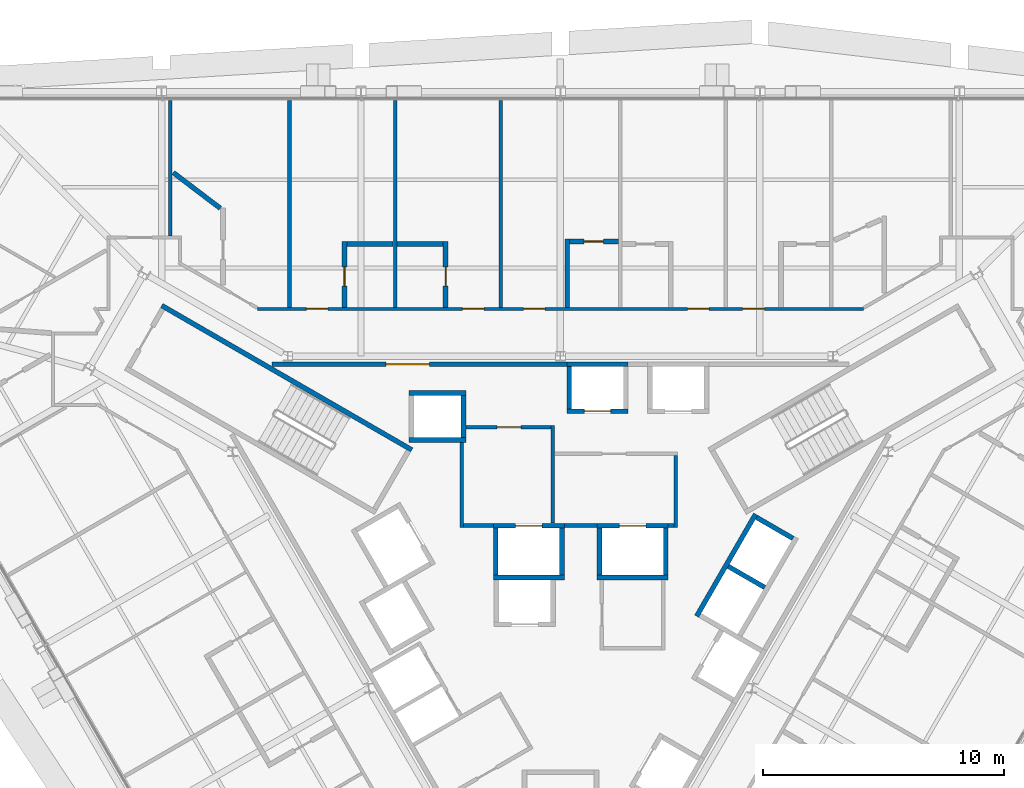
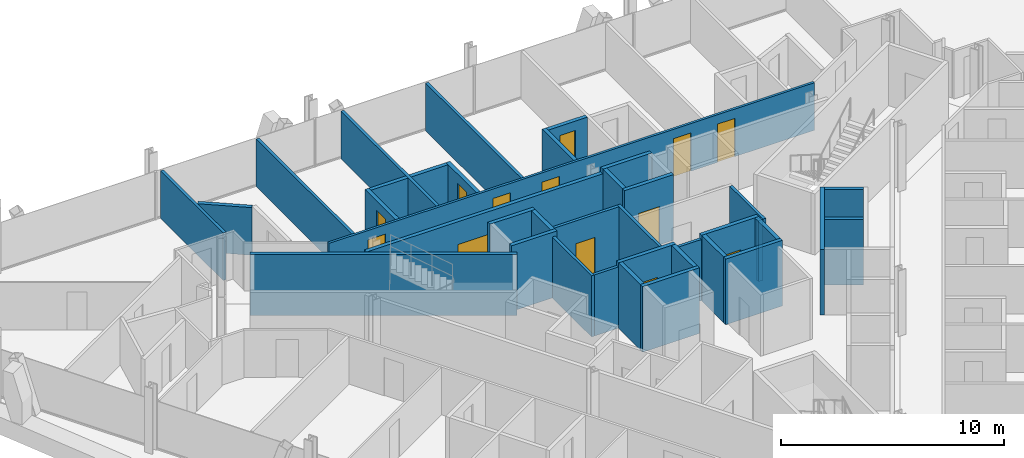
# One storey, part 13 of 17: 38 walls, 13 doors, 13 openings.
"""IFC4 building model written with IfcOpenShell, lengths in metres."""

from ifc_helpers import new_model, si_unit, direction, frame, frame_2d, origin, place, context, subcontext, project, spatial, rectangle, extrude, material, layer, layer_set, type_object, element, fill, save


model = new_model("IFC4")

# Units and contexts
model_context = context("Model", 3, precision=1e-05, world=origin(), true_north=direction((0.0, 1.0)))
body_context = subcontext(model_context, "Body", "Model", "MODEL_VIEW")
ifc_project = project(units=[si_unit("LENGTHUNIT", "METRE"), si_unit("AREAUNIT", "SQUARE_METRE"), si_unit("VOLUMEUNIT", "CUBIC_METRE"), si_unit("PLANEANGLEUNIT", "RADIAN"), si_unit("MASSUNIT", "GRAM", prefix="KILO")], contexts=[model_context])

# Site, building, storey
site_placement = place(None, origin())
site = spatial("IfcSite", under=ifc_project, at=site_placement, CompositionType="ELEMENT")
building_placement = place(site_placement, origin())
building = spatial("IfcBuilding", under=site, at=building_placement, Name="Verrane Prism Tower", CompositionType="ELEMENT")
storey_placement = place(building_placement, frame((0.0, 0.0, 136.0)))
storey = spatial("IfcBuildingStorey", under=building, at=storey_placement, Name="L33", CompositionType="ELEMENT", Elevation=136.0)

# Wall, opening, door
ifc_material_1 = material(Name="Gypsum board partition", Category="other")
ifc_layer_1 = layer(ifc_material_1, 0.199951171875)
ifc_layer_set_1 = layer_set([ifc_layer_1], Name="CW-200 core boundary wall 2 h")
wall_type_1 = type_object("IfcWallType", Name="CW-200 core boundary wall 2 h", PredefinedType="PARTITIONING", material=ifc_layer_set_1)
wall_1_placement = place(storey_placement, frame((0.262939453125, 8.860107421875, 0.0), z_axis=(0.0, 0.0, 1.0), x_axis=(-1.0, 0.0, 0.0)))
wall_1 = element("IfcWall", 1, at=wall_1_placement, inside=storey, type_object=wall_type_1, Name="Core boundary wall CW3-002", PredefinedType="PARTITIONING", context=body_context, shape_type="SweptSolid", body=[
    extrude(rectangle(XDim=12.25390625, YDim=0.199951171875, at=frame_2d((6.126953125, 0.0))), origin(), (0.0, 0.0, 1.0), 3.35009765625),
])
opening_1_placement = place(wall_1_placement, frame((5.708984375, 0.0, 0.0)))
opening_1 = element("IfcOpeningElement", 2, at=opening_1_placement, cuts=wall_1, Name="Opening D32511", PredefinedType="OPENING", context=body_context, shape_type="SweptSolid", body=[
    extrude(rectangle(XDim=1.800048828125, YDim=2.10009765625, at=frame_2d((0.89990234375, 1.050048828125))), frame((0.0, 0.10986328125, 0.0), z_axis=(0.0, -1.0, 0.0), x_axis=(1.0, 0.0, 0.0)), (0.0, 0.0, 1.0), 0.219970703125),
])
ifc_material_2 = material(Name="Timber veneered door leaf", Category="wood")
door_type_1 = type_object("IfcDoorType", Name="DR-1800x2100 FD60 double leaf lift lobby", OperationType="NOTDEFINED", PredefinedType="DOOR", material=ifc_material_2)
door_1_placement = place(opening_1_placement, origin())
door_1 = element("IfcDoor", 3, at=door_1_placement, inside=storey, type_object=door_type_1, Name="Lift lobby door D32511", OperationType="DOUBLE_DOOR_SINGLE_SWING", OverallHeight=2.10009765625, OverallWidth=1.800048828125, PredefinedType="DOOR", context=body_context, shape_type="SweptSolid", body=[
    extrude(rectangle(XDim=1.800048828125, YDim=2.10009765625, at=frame_2d((0.89990234375, 1.050048828125))), frame((0.0, 0.02490234375, 0.0), z_axis=(0.0, -1.0, 0.0), x_axis=(1.0, 0.0, 0.0)), (0.0, 0.0, 1.0), 0.050048828125),
])
fill(opening_1, door_1)

# Walls
ifc_material_3 = material(Name="Concrete C40/50", Category="concrete")
ifc_layer_2 = layer(ifc_material_3, 0.199951171875)
ifc_layer_set_2 = layer_set([ifc_layer_2], Name="CW-200 stair core wall concrete C40/50 3 h")
wall_type_2 = type_object("IfcWallType", Name="CW-200 stair core wall concrete C40/50 3 h", PredefinedType="PARTITIONING", material=ifc_layer_set_2)
wall_2_placement = place(storey_placement, frame((-6.17822265625, 5.299072265625, 0.0), z_axis=(0.0, 0.0, 1.0), x_axis=(-0.866026010844, 0.49999894854, 0.0)))
element("IfcWall", 4, at=wall_2_placement, inside=storey, type_object=wall_type_2, Name="Stair 2 enclosure wall", PredefinedType="PARTITIONING", context=body_context, shape_type="SweptSolid", body=[
    extrude(rectangle(XDim=12.0, YDim=0.199951171875, at=frame_2d((6.0, 0.0))), origin(), (0.0, 0.0, 1.0), 3.35009765625),
])
ifc_material_4 = material(Name="Gypsum board shaft wall assembly", Category="other")
ifc_layer_3 = layer(ifc_material_4, 0.199951171875)
ifc_layer_set_3 = layer_set([ifc_layer_3], Name="HW-200 lift shaft wall 2 h")
wall_type_3 = type_object("IfcWallType", Name="HW-200 lift shaft wall 2 h", PredefinedType="PARTITIONING", material=ifc_layer_set_3)
wall_3_placement = place(storey_placement, frame((-2.784912109375, 0.0, 0.0), z_axis=(0.0, 0.0, 1.0), x_axis=(1.0, 0.0, 0.0)))
element("IfcWall", 5, at=wall_3_placement, inside=storey, type_object=wall_type_3, Name="Lift shaft wall", PredefinedType="PARTITIONING", context=body_context, shape_type="SweptSolid", body=[
    extrude(rectangle(XDim=2.949951171875, YDim=0.199951171875, at=frame_2d((1.47509765625, 0.0))), origin(), (0.0, 0.0, 1.0), 3.60009765625),
])
wall_4_placement = place(storey_placement, frame((1.52490234375, 0.0, 0.0), z_axis=(0.0, 0.0, 1.0), x_axis=(1.0, 0.0, 0.0)))
element("IfcWall", 6, at=wall_4_placement, inside=storey, type_object=wall_type_3, Name="Lift shaft wall", PredefinedType="PARTITIONING", context=body_context, shape_type="SweptSolid", body=[
    extrude(rectangle(XDim=2.9501953125, YDim=0.199951171875, at=frame_2d((1.47509765625, 0.0))), origin(), (0.0, 0.0, 1.0), 3.60009765625),
])

# Wall, opening, door
wall_5_placement = place(storey_placement, frame((-2.784912109375, 2.14990234375, 0.0), z_axis=(0.0, 0.0, 1.0), x_axis=(1.0, 0.0, 0.0)))
wall_5 = element("IfcWall", 7, at=wall_5_placement, inside=storey, type_object=wall_type_3, Name="Lift shaft wall", PredefinedType="PARTITIONING", context=body_context, shape_type="SweptSolid", body=[
    extrude(rectangle(XDim=2.949951171875, YDim=0.199951171875, at=frame_2d((1.47509765625, 0.0))), origin(), (0.0, 0.0, 1.0), 3.60009765625),
])
opening_2_placement = place(wall_5_placement, frame((0.925048828125, 0.0, 0.0)))
opening_2 = element("IfcOpeningElement", 8, at=opening_2_placement, cuts=wall_5, Name="Opening D32508", PredefinedType="OPENING", context=body_context, shape_type="SweptSolid", body=[
    extrude(rectangle(XDim=1.10009765625, YDim=2.10009765625, at=frame_2d((0.550048828125, 1.050048828125))), frame((0.0, 0.10986328125, 0.0), z_axis=(0.0, -1.0, 0.0), x_axis=(1.0, 0.0, 0.0)), (0.0, 0.0, 1.0), 0.219970703125),
])
ifc_material_5 = material(Name="Stainless steel sliding landing door", Category="steel")
door_type_2 = type_object("IfcDoorType", Name="LD-1100x2100 lift landing door FD90 sliding", OperationType="NOTDEFINED", PredefinedType="DOOR", material=ifc_material_5)
door_2_placement = place(opening_2_placement, origin())
door_2 = element("IfcDoor", 9, at=door_2_placement, inside=storey, type_object=door_type_2, Name="Fire service lift 1 landing door", OperationType="SLIDING_TO_LEFT", OverallHeight=2.10009765625, OverallWidth=1.10009765625, PredefinedType="DOOR", context=body_context, shape_type="SweptSolid", body=[
    extrude(rectangle(XDim=1.10009765625, YDim=2.10009765625, at=frame_2d((0.550048828125, 1.050048828125))), frame((0.0, 0.02490234375, 0.0), z_axis=(0.0, -1.0, 0.0), x_axis=(1.0, 0.0, 0.0)), (0.0, 0.0, 1.0), 0.050048828125),
])
fill(opening_2, door_2)

wall_6_placement = place(storey_placement, frame((1.52490234375, 2.14990234375, 0.0), z_axis=(0.0, 0.0, 1.0), x_axis=(1.0, 0.0, 0.0)))
wall_6 = element("IfcWall", 10, at=wall_6_placement, inside=storey, type_object=wall_type_3, Name="Lift shaft wall", PredefinedType="PARTITIONING", context=body_context, shape_type="SweptSolid", body=[
    extrude(rectangle(XDim=2.9501953125, YDim=0.199951171875, at=frame_2d((1.47509765625, 0.0))), origin(), (0.0, 0.0, 1.0), 3.60009765625),
])
opening_3_placement = place(wall_6_placement, frame((0.925048828125, 0.0, 0.0)))
opening_3 = element("IfcOpeningElement", 11, at=opening_3_placement, cuts=wall_6, Name="Opening D32509", PredefinedType="OPENING", context=body_context, shape_type="SweptSolid", body=[
    extrude(rectangle(XDim=1.10009765625, YDim=2.10009765625, at=frame_2d((0.550048828125, 1.050048828125))), frame((0.0, 0.10986328125, 0.0), z_axis=(0.0, -1.0, 0.0), x_axis=(1.0, 0.0, 0.0)), (0.0, 0.0, 1.0), 0.219970703125),
])
door_3_placement = place(opening_3_placement, origin())
door_3 = element("IfcDoor", 12, at=door_3_placement, inside=storey, type_object=door_type_2, Name="Fire service lift 2 landing door", OperationType="SLIDING_TO_RIGHT", OverallHeight=2.10009765625, OverallWidth=1.10009765625, PredefinedType="DOOR", context=body_context, shape_type="SweptSolid", body=[
    extrude(rectangle(XDim=1.10009765625, YDim=2.10009765625, at=frame_2d((0.550048828125, 1.050048828125))), frame((0.0, 0.02490234375, 0.0), z_axis=(0.0, -1.0, 0.0), x_axis=(1.0, 0.0, 0.0)), (0.0, 0.0, 1.0), 0.050048828125),
])
fill(opening_3, door_3)

# Wall
wall_7_placement = place(storey_placement, frame((-6.284912109375, 5.7099609375, 0.0), z_axis=(0.0, 0.0, 1.0), x_axis=(1.0, 0.0, 0.0)))
element("IfcWall", 13, at=wall_7_placement, inside=storey, type_object=wall_type_3, Name="Lift shaft wall", PredefinedType="PARTITIONING", context=body_context, shape_type="SweptSolid", body=[
    extrude(rectangle(XDim=2.349853515625, YDim=0.199951171875, at=frame_2d((1.1748046875, 0.0))), origin(), (0.0, 0.0, 1.0), 3.60009765625),
])

# Wall, opening, door
wall_8_placement = place(storey_placement, frame((0.264892578125, 6.909912109375, 0.0), z_axis=(0.0, 0.0, 1.0), x_axis=(1.0, 0.0, 0.0)))
wall_8 = element("IfcWall", 14, at=wall_8_placement, inside=storey, type_object=wall_type_3, Name="Lift shaft wall", PredefinedType="PARTITIONING", context=body_context, shape_type="SweptSolid", body=[
    extrude(rectangle(XDim=2.550048828125, YDim=0.199951171875, at=frame_2d((1.27490234375, 0.0))), origin(), (0.0, 0.0, 1.0), 3.60009765625),
])
opening_4_placement = place(wall_8_placement, frame((0.72509765625, 0.0, 0.0)))
opening_4 = element("IfcOpeningElement", 15, at=opening_4_placement, cuts=wall_8, Name="Opening D32503", PredefinedType="OPENING", context=body_context, shape_type="SweptSolid", body=[
    extrude(rectangle(XDim=1.10009765625, YDim=2.10009765625, at=frame_2d((0.550048828125, 1.050048828125))), frame((0.0, 0.10986328125, 0.0), z_axis=(0.0, -1.0, 0.0), x_axis=(1.0, 0.0, 0.0)), (0.0, 0.0, 1.0), 0.219970703125),
])
door_4_placement = place(opening_4_placement, origin())
door_4 = element("IfcDoor", 16, at=door_4_placement, inside=storey, type_object=door_type_2, Name="Bank A lift 1 landing door", OperationType="SLIDING_TO_LEFT", OverallHeight=2.10009765625, OverallWidth=1.10009765625, PredefinedType="DOOR", context=body_context, shape_type="SweptSolid", body=[
    extrude(rectangle(XDim=1.10009765625, YDim=2.10009765625, at=frame_2d((0.550048828125, 1.050048828125))), frame((0.0, 0.02490234375, 0.0), z_axis=(0.0, -1.0, 0.0), x_axis=(1.0, 0.0, 0.0)), (0.0, 0.0, 1.0), 0.050048828125),
])
fill(opening_4, door_4)

# Walls
wall_9_placement = place(storey_placement, frame((-6.284912109375, 7.659912109375, 0.0), z_axis=(0.0, 0.0, 1.0), x_axis=(1.0, 0.0, 0.0)))
element("IfcWall", 17, at=wall_9_placement, inside=storey, type_object=wall_type_3, Name="Lift shaft wall", PredefinedType="PARTITIONING", context=body_context, shape_type="SweptSolid", body=[
    extrude(rectangle(XDim=2.349853515625, YDim=0.199951171875, at=frame_2d((1.1748046875, 0.0))), origin(), (0.0, 0.0, 1.0), 3.60009765625),
])
wall_10_placement = place(storey_placement, frame((0.264892578125, 8.860107421875, 0.0), z_axis=(0.0, 0.0, 1.0), x_axis=(1.0, 0.0, 0.0)))
element("IfcWall", 18, at=wall_10_placement, inside=storey, type_object=wall_type_3, Name="Lift shaft wall", PredefinedType="PARTITIONING", context=body_context, shape_type="SweptSolid", body=[
    extrude(rectangle(XDim=2.550048828125, YDim=0.199951171875, at=frame_2d((1.27490234375, 0.0))), origin(), (0.0, 0.0, 1.0), 3.60009765625),
])
wall_11_placement = place(storey_placement, frame((5.66259765625, -1.6123046875, 0.0), z_axis=(0.0, 0.0, 1.0), x_axis=(0.49998122708, 0.866036242063, 0.0)))
element("IfcWall", 19, at=wall_11_placement, inside=storey, type_object=wall_type_3, Name="Lift shaft wall", PredefinedType="PARTITIONING", context=body_context, shape_type="SweptSolid", body=[
    extrude(rectangle(XDim=4.900146484375, YDim=0.199951171875, at=frame_2d((2.4501953125, 0.0))), origin(), (0.0, 0.0, 1.0), 3.60009765625),
])
for number, where, z_axis, x_axis, name in (
    (20, (4.375, 0.10009765625, 0.0), (0.0, 0.0, 1.0), (0.0, 1.0, 0.0), "Lift shaft wall"),
    (21, (1.625, 0.10009765625, 0.0), (0.0, 0.0, 1.0), (0.0, 1.0, 0.0), "Lift shaft wall"),
):
    element("IfcWall", number, at=place(storey_placement, frame(where, z_axis=z_axis, x_axis=x_axis)), inside=storey, type_object=wall_type_3, Name=name, PredefinedType="PARTITIONING", context=body_context, shape_type="SweptSolid", body=[
        extrude(rectangle(XDim=1.949951171875, YDim=0.199951171875, at=frame_2d((0.97509765625, 0.0))), origin(), (0.0, 0.0, 1.0), 3.60009765625),
    ])
wall_12_placement = place(storey_placement, frame((0.364990234375, 7.010009765625, 0.0), z_axis=(0.0, 0.0, 1.0), x_axis=(0.0, 1.0, 0.0)))
element("IfcWall", 22, at=wall_12_placement, inside=storey, type_object=wall_type_3, Name="Lift shaft wall", PredefinedType="PARTITIONING", context=body_context, shape_type="SweptSolid", body=[
    extrude(rectangle(XDim=1.75, YDim=0.199951171875, at=frame_2d((0.875, 0.0))), origin(), (0.0, 0.0, 1.0), 3.60009765625),
])
for number, where, z_axis, x_axis, name in (
    (23, (0.06494140625, 0.10009765625, 0.0), (0.0, 0.0, 1.0), (0.0, 1.0, 0.0), "Lift shaft wall"),
    (24, (-2.68505859375, 0.10009765625, 0.0), (0.0, 0.0, 1.0), (0.0, 1.0, 0.0), "Lift shaft wall"),
):
    element("IfcWall", number, at=place(storey_placement, frame(where, z_axis=z_axis, x_axis=x_axis)), inside=storey, type_object=wall_type_3, Name=name, PredefinedType="PARTITIONING", context=body_context, shape_type="SweptSolid", body=[
        extrude(rectangle(XDim=1.949951171875, YDim=0.199951171875, at=frame_2d((0.97509765625, 0.0))), origin(), (0.0, 0.0, 1.0), 3.60009765625),
    ])
wall_13_placement = place(storey_placement, frame((-4.034912109375, 5.81005859375, 0.0), z_axis=(0.0, 0.0, 1.0), x_axis=(0.0, 1.0, 0.0)))
element("IfcWall", 25, at=wall_13_placement, inside=storey, type_object=wall_type_3, Name="Lift shaft wall", PredefinedType="PARTITIONING", context=body_context, shape_type="SweptSolid", body=[
    extrude(rectangle(XDim=1.75, YDim=0.199951171875, at=frame_2d((0.875, 0.0))), origin(), (0.0, 0.0, 1.0), 3.60009765625),
])
wall_14_placement = place(storey_placement, frame((9.66455078125, 1.61962890625, 0.0), z_axis=(0.0, 0.0, 1.0), x_axis=(-0.866002029911, 0.500040482552, 0.0)))
element("IfcWall", 26, at=wall_14_placement, inside=storey, type_object=wall_type_3, Name="Lift shaft wall", PredefinedType="PARTITIONING", context=body_context, shape_type="SweptSolid", body=[
    extrude(rectangle(XDim=1.749755859375, YDim=0.199951171875, at=frame_2d((0.875, 0.0))), origin(), (0.0, 0.0, 1.0), 3.60009765625),
])
wall_15_placement = place(storey_placement, frame((8.48974609375, -0.41552734375, 0.0), z_axis=(0.0, 0.0, 1.0), x_axis=(-0.866036909293, 0.499980071345, 0.0)))
element("IfcWall", 27, at=wall_15_placement, inside=storey, type_object=wall_type_3, Name="Lift shaft wall", PredefinedType="PARTITIONING", context=body_context, shape_type="SweptSolid", body=[
    extrude(rectangle(XDim=1.75, YDim=0.199951171875, at=frame_2d((0.875, 0.0))), origin(), (0.0, 0.0, 1.0), 3.60009765625),
])
ifc_material_6 = material(Name="Gypsum board partition", Category="other")
ifc_layer_4 = layer(ifc_material_6, 0.14990234375)
ifc_layer_set_4 = layer_set([ifc_layer_4], Name="LF-150 firefighting lobby wall 1 h")
wall_type_4 = type_object("IfcWallType", Name="LF-150 firefighting lobby wall 1 h", PredefinedType="PARTITIONING", material=ifc_layer_set_4)
wall_16_placement = place(storey_placement, frame((-4.10009765625, 2.0849609375, 0.0), z_axis=(0.0, 0.0, 1.0), x_axis=(0.0, 1.0, 0.0)))
element("IfcWall", 28, at=wall_16_placement, inside=storey, type_object=wall_type_4, Name="Firefighting lobby wall LF1-001", PredefinedType="PARTITIONING", context=body_context, shape_type="SweptSolid", body=[
    extrude(rectangle(XDim=3.52294921875, YDim=0.14990234375, at=frame_2d((1.761474609375, 0.0))), origin(), (0.0, 0.0, 1.0), 3.35009765625),
])
wall_17_placement = place(storey_placement, frame((-4.02490234375, 2.159912109375, 0.0), z_axis=(0.0, 0.0, 1.0), x_axis=(1.0, 0.0, 0.0)))
element("IfcWall", 29, at=wall_17_placement, inside=storey, type_object=wall_type_4, Name="Firefighting lobby wall LF1-002", PredefinedType="PARTITIONING", context=body_context, shape_type="SweptSolid", body=[
    extrude(rectangle(XDim=1.23779296875, YDim=0.14990234375, at=frame_2d((0.618896484375, 0.0))), origin(), (0.0, 0.0, 1.0), 3.35009765625),
])

# Wall, opening, door
wall_18_placement = place(storey_placement, frame((-3.93310546875, 6.239990234375, 0.0), z_axis=(0.0, 0.0, 1.0), x_axis=(1.0, 0.0, 0.0)))
wall_18 = element("IfcWall", 30, at=wall_18_placement, inside=storey, type_object=wall_type_4, Name="Firefighting lobby wall LF1-003", PredefinedType="PARTITIONING", context=body_context, shape_type="SweptSolid", body=[
    extrude(rectangle(XDim=3.5380859375, YDim=0.14990234375, at=frame_2d((1.76904296875, 0.0))), origin(), (0.0, 0.0, 1.0), 3.35009765625),
])
opening_5_placement = place(wall_18_placement, frame((1.300048828125, 0.0, 0.0)))
opening_5 = element("IfcOpeningElement", 31, at=opening_5_placement, cuts=wall_18, Name="Opening D32515", PredefinedType="OPENING", context=body_context, shape_type="SweptSolid", body=[
    extrude(rectangle(XDim=1.0, YDim=2.10009765625, at=frame_2d((0.5, 1.050048828125))), frame((0.0, 0.0849609375, 0.0), z_axis=(0.0, -1.0, 0.0), x_axis=(1.0, 0.0, 0.0)), (0.0, 0.0, 1.0), 0.169921875),
])
ifc_material_7 = material(Name="Timber veneered door leaf", Category="wood")
door_type_3 = type_object("IfcDoorType", Name="DR-1000x2100 FD60 single leaf firefighting lobby", OperationType="NOTDEFINED", PredefinedType="DOOR", material=ifc_material_7)
door_5_placement = place(opening_5_placement, origin())
door_5 = element("IfcDoor", 32, at=door_5_placement, inside=storey, type_object=door_type_3, Name="Firefighting lobby door D32515", OperationType="SINGLE_SWING_LEFT", OverallHeight=2.10009765625, OverallWidth=1.0, PredefinedType="DOOR", context=body_context, shape_type="SweptSolid", body=[
    extrude(rectangle(XDim=1.0, YDim=2.10009765625, at=frame_2d((0.5, 1.050048828125))), frame((0.0, 0.02490234375, 0.0), z_axis=(0.0, -1.0, 0.0), x_axis=(1.0, 0.0, 0.0)), (0.0, 0.0, 1.0), 0.050048828125),
])
fill(opening_5, door_5)

# Walls
wall_19_placement = place(storey_placement, frame((-0.320068359375, 2.251953125, 0.0), z_axis=(0.0, 0.0, 1.0), x_axis=(0.0, 1.0, 0.0)))
element("IfcWall", 33, at=wall_19_placement, inside=storey, type_object=wall_type_4, Name="Firefighting lobby wall LF1-004", PredefinedType="PARTITIONING", context=body_context, shape_type="SweptSolid", body=[
    extrude(rectangle(XDim=4.06298828125, YDim=0.14990234375, at=frame_2d((2.031494140625, 0.0))), origin(), (0.0, 0.0, 1.0), 3.35009765625),
])
wall_20_placement = place(storey_placement, frame((0.1669921875, 2.159912109375, 0.0), z_axis=(0.0, 0.0, 1.0), x_axis=(1.0, 0.0, 0.0)))
element("IfcWall", 34, at=wall_20_placement, inside=storey, type_object=wall_type_4, Name="Firefighting lobby wall LF1-006", PredefinedType="PARTITIONING", context=body_context, shape_type="SweptSolid", body=[
    extrude(rectangle(XDim=1.35595703125, YDim=0.14990234375, at=frame_2d((0.677978515625, 0.0))), origin(), (0.0, 0.0, 1.0), 3.35009765625),
])
wall_21_placement = place(storey_placement, frame((4.47705078125, 2.159912109375, 0.0), z_axis=(0.0, 0.0, 1.0), x_axis=(1.0, 0.0, 0.0)))
element("IfcWall", 35, at=wall_21_placement, inside=storey, type_object=wall_type_4, Name="Firefighting lobby wall LF1-007", PredefinedType="PARTITIONING", context=body_context, shape_type="SweptSolid", body=[
    extrude(rectangle(XDim=0.238037109375, YDim=0.14990234375, at=frame_2d((0.119140625, 0.0))), origin(), (0.0, 0.0, 1.0), 3.35009765625),
])
wall_22_placement = place(storey_placement, frame((4.7900390625, 2.0849609375, 0.0), z_axis=(0.0, 0.0, 1.0), x_axis=(0.0, 1.0, 0.0)))
element("IfcWall", 36, at=wall_22_placement, inside=storey, type_object=wall_type_4, Name="Firefighting lobby wall LF1-008", PredefinedType="PARTITIONING", context=body_context, shape_type="SweptSolid", body=[
    extrude(rectangle(XDim=2.97998046875, YDim=0.14990234375, at=frame_2d((1.489990234375, 0.0))), origin(), (0.0, 0.0, 1.0), 3.35009765625),
])

# Wall, openings, doors
ifc_material_8 = material(Name="Gypsum board partition", Category="other")
ifc_layer_5 = layer(ifc_material_8, 0.125)
ifc_layer_set_5 = layer_set([ifc_layer_5], Name="PW-125 corridor wall 1 h")
wall_type_5 = type_object("IfcWallType", Name="PW-125 corridor wall 1 h", PredefinedType="PARTITIONING", material=ifc_layer_set_5)
wall_23_placement = place(storey_placement, frame((-12.593505859375, 11.160888671875, 0.0), z_axis=(0.0, 0.0, 1.0), x_axis=(1.0, 0.0, 0.0)))
wall_23 = element("IfcWall", 37, at=wall_23_placement, inside=storey, type_object=wall_type_5, Name="Corridor wall 030", PredefinedType="PARTITIONING", context=body_context, shape_type="SweptSolid", body=[
    extrude(rectangle(XDim=25.18701171875, YDim=0.125, at=frame_2d((12.593505859375, 0.0))), origin(), (0.0, 0.0, 1.0), 2.613037109375),
])
opening_6_placement = place(wall_23_placement, frame((20.16552734375, 0.0, 0.0)))
opening_6 = element("IfcOpeningElement", 38, at=opening_6_placement, cuts=wall_23, Name="Opening D32019", PredefinedType="OPENING", context=body_context, shape_type="SweptSolid", body=[
    extrude(rectangle(XDim=0.89990234375, YDim=2.10009765625, at=frame_2d((0.449951171875, 1.050048828125))), frame((0.0, 0.072509765625, 0.0), z_axis=(0.0, -1.0, 0.0), x_axis=(1.0, 0.0, 0.0)), (0.0, 0.0, 1.0), 0.14501953125),
])
opening_7_placement = place(wall_23_placement, frame((17.87548828125, 0.0, 0.0)))
opening_7 = element("IfcOpeningElement", 39, at=opening_7_placement, cuts=wall_23, Name="Opening D32021", PredefinedType="OPENING", context=body_context, shape_type="SweptSolid", body=[
    extrude(rectangle(XDim=0.89990234375, YDim=2.10009765625, at=frame_2d((0.449951171875, 1.050048828125))), frame((0.0, 0.072509765625, 0.0), z_axis=(0.0, -1.0, 0.0), x_axis=(1.0, 0.0, 0.0)), (0.0, 0.0, 1.0), 0.14501953125),
])
opening_8_placement = place(wall_23_placement, frame((11.0615234375, 0.0, 0.0)))
opening_8 = element("IfcOpeningElement", 40, at=opening_8_placement, cuts=wall_23, Name="Opening D32023", PredefinedType="OPENING", context=body_context, shape_type="SweptSolid", body=[
    extrude(rectangle(XDim=0.89990234375, YDim=2.10009765625, at=frame_2d((0.449951171875, 1.050048828125))), frame((0.0, 0.072509765625, 0.0), z_axis=(0.0, -1.0, 0.0), x_axis=(1.0, 0.0, 0.0)), (0.0, 0.0, 1.0), 0.14501953125),
])
opening_9_placement = place(wall_23_placement, frame((8.521484375, 0.0, 0.0)))
opening_9 = element("IfcOpeningElement", 41, at=opening_9_placement, cuts=wall_23, Name="Opening D32025", PredefinedType="OPENING", context=body_context, shape_type="SweptSolid", body=[
    extrude(rectangle(XDim=0.89990234375, YDim=2.10009765625, at=frame_2d((0.449951171875, 1.050048828125))), frame((0.0, 0.072509765625, 0.0), z_axis=(0.0, -1.0, 0.0), x_axis=(1.0, 0.0, 0.0)), (0.0, 0.0, 1.0), 0.14501953125),
])
opening_10_placement = place(wall_23_placement, frame((2.031494140625, 0.0, 0.0)))
opening_10 = element("IfcOpeningElement", 42, at=opening_10_placement, cuts=wall_23, Name="Opening D32027", PredefinedType="OPENING", context=body_context, shape_type="SweptSolid", body=[
    extrude(rectangle(XDim=0.89990234375, YDim=2.10009765625, at=frame_2d((0.449951171875, 1.050048828125))), frame((0.0, 0.072509765625, 0.0), z_axis=(0.0, -1.0, 0.0), x_axis=(1.0, 0.0, 0.0)), (0.0, 0.0, 1.0), 0.14501953125),
])
ifc_material_9 = material(Name="Timber veneered door leaf", Category="wood")
door_type_4 = type_object("IfcDoorType", Name="DR-900x2100 FD20 single leaf unit", OperationType="NOTDEFINED", PredefinedType="DOOR", material=ifc_material_9)
door_6_placement = place(opening_6_placement, origin())
door_6 = element("IfcDoor", 43, at=door_6_placement, inside=storey, type_object=door_type_4, Name="Guest Room door", OperationType="SINGLE_SWING_LEFT", OverallHeight=2.10009765625, OverallWidth=0.89990234375, PredefinedType="DOOR", context=body_context, shape_type="SweptSolid", body=[
    extrude(rectangle(XDim=0.89990234375, YDim=2.10009765625, at=frame_2d((0.449951171875, 1.050048828125))), frame((0.0, 0.02490234375, 0.0), z_axis=(0.0, -1.0, 0.0), x_axis=(1.0, 0.0, 0.0)), (0.0, 0.0, 1.0), 0.050048828125),
])
fill(opening_6, door_6)
door_7_placement = place(opening_7_placement, origin())
door_7 = element("IfcDoor", 44, at=door_7_placement, inside=storey, type_object=door_type_4, Name="Guest Room door", OperationType="SINGLE_SWING_LEFT", OverallHeight=2.10009765625, OverallWidth=0.89990234375, PredefinedType="DOOR", context=body_context, shape_type="SweptSolid", body=[
    extrude(rectangle(XDim=0.89990234375, YDim=2.10009765625, at=frame_2d((0.449951171875, 1.050048828125))), frame((0.0, 0.02490234375, 0.0), z_axis=(0.0, -1.0, 0.0), x_axis=(1.0, 0.0, 0.0)), (0.0, 0.0, 1.0), 0.050048828125),
])
fill(opening_7, door_7)
door_8_placement = place(opening_8_placement, origin())
door_8 = element("IfcDoor", 45, at=door_8_placement, inside=storey, type_object=door_type_4, Name="Guest Room door", OperationType="SINGLE_SWING_LEFT", OverallHeight=2.10009765625, OverallWidth=0.89990234375, PredefinedType="DOOR", context=body_context, shape_type="SweptSolid", body=[
    extrude(rectangle(XDim=0.89990234375, YDim=2.10009765625, at=frame_2d((0.449951171875, 1.050048828125))), frame((0.0, 0.02490234375, 0.0), z_axis=(0.0, -1.0, 0.0), x_axis=(1.0, 0.0, 0.0)), (0.0, 0.0, 1.0), 0.050048828125),
])
fill(opening_8, door_8)
door_9_placement = place(opening_9_placement, origin())
door_9 = element("IfcDoor", 46, at=door_9_placement, inside=storey, type_object=door_type_4, Name="Guest Room door", OperationType="SINGLE_SWING_LEFT", OverallHeight=2.10009765625, OverallWidth=0.89990234375, PredefinedType="DOOR", context=body_context, shape_type="SweptSolid", body=[
    extrude(rectangle(XDim=0.89990234375, YDim=2.10009765625, at=frame_2d((0.449951171875, 1.050048828125))), frame((0.0, 0.02490234375, 0.0), z_axis=(0.0, -1.0, 0.0), x_axis=(1.0, 0.0, 0.0)), (0.0, 0.0, 1.0), 0.050048828125),
])
fill(opening_9, door_9)
door_10_placement = place(opening_10_placement, origin())
door_10 = element("IfcDoor", 47, at=door_10_placement, inside=storey, type_object=door_type_4, Name="Guest Room door", OperationType="SINGLE_SWING_LEFT", OverallHeight=2.10009765625, OverallWidth=0.89990234375, PredefinedType="DOOR", context=body_context, shape_type="SweptSolid", body=[
    extrude(rectangle(XDim=0.89990234375, YDim=2.10009765625, at=frame_2d((0.449951171875, 1.050048828125))), frame((0.0, 0.02490234375, 0.0), z_axis=(0.0, -1.0, 0.0), x_axis=(1.0, 0.0, 0.0)), (0.0, 0.0, 1.0), 0.050048828125),
])
fill(opening_10, door_10)

# Walls
ifc_material_10 = material(Name="Gypsum board partition", Category="other")
ifc_layer_6 = layer(ifc_material_10, 0.14990234375)
ifc_layer_set_6 = layer_set([ifc_layer_6], Name="PW-150 demising wall 1 h")
wall_type_6 = type_object("IfcWallType", Name="PW-150 demising wall 1 h", PredefinedType="PARTITIONING", material=ifc_layer_set_6)
wall_24_placement = place(storey_placement, frame((-16.22607421875, 14.189453125, 0.0), z_axis=(0.0, 0.0, 1.0), x_axis=(0.0, 1.0, 0.0)))
element("IfcWall", 48, at=wall_24_placement, inside=storey, type_object=wall_type_6, Name="Demising wall 019", PredefinedType="PARTITIONING", context=body_context, shape_type="SweptSolid", body=[
    extrude(rectangle(XDim=5.62548828125, YDim=0.14990234375, at=frame_2d((2.812744140625, 0.0))), origin(), (0.0, 0.0, 1.0), 2.613037109375),
])
for number, where, z_axis, x_axis, name in (
    (49, (-11.261962890625, 11.223388671875, 0.0), (0.0, 0.0, 1.0), (0.0, 1.0, 0.0), "Demising wall 032"),
    (50, (-6.8720703125, 11.223388671875, 0.0), (0.0, 0.0, 1.0), (0.0, 1.0, 0.0), "Demising wall 039"),
    (51, (-2.48193359375, 11.223388671875, 0.0), (0.0, 0.0, 1.0), (0.0, 1.0, 0.0), "Demising wall 046"),
):
    element("IfcWall", number, at=place(storey_placement, frame(where, z_axis=z_axis, x_axis=x_axis)), inside=storey, type_object=wall_type_6, Name=name, PredefinedType="PARTITIONING", context=body_context, shape_type="SweptSolid", body=[
        extrude(rectangle(XDim=8.591552734375, YDim=0.14990234375, at=frame_2d((4.2958984375, 0.0))), origin(), (0.0, 0.0, 1.0), 2.613037109375),
    ])
ifc_material_11 = material(Name="Gypsum board partition", Category="other")
ifc_layer_7 = layer(ifc_material_11, 0.199951171875)
ifc_layer_set_7 = layer_set([ifc_layer_7], Name="PW-200 plumbing wall")
wall_type_7 = type_object("IfcWallType", Name="PW-200 plumbing wall", PredefinedType="PARTITIONING", material=ifc_layer_set_7)
wall_25_placement = place(storey_placement, frame((-16.090576171875, 16.82421875, 0.0), z_axis=(0.0, 0.0, 1.0), x_axis=(0.796497816393, -0.604641404869, 0.0)))
element("IfcWall", 52, at=wall_25_placement, inside=storey, type_object=wall_type_7, Name="Plumbing wall 020", PredefinedType="PARTITIONING", context=body_context, shape_type="SweptSolid", body=[
    extrude(rectangle(XDim=2.4521484375, YDim=0.199951171875, at=frame_2d((1.22607421875, 0.0))), origin(), (0.0, 0.0, 1.0), 2.613037109375),
])

# Wall, opening, door
wall_26_placement = place(storey_placement, frame((-8.971923828125, 13.9609375, 0.0), z_axis=(0.0, 0.0, 1.0), x_axis=(0.0, -1.0, 0.0)))
wall_26 = element("IfcWall", 53, at=wall_26_placement, inside=storey, type_object=wall_type_7, Name="Plumbing wall 034", PredefinedType="PARTITIONING", context=body_context, shape_type="SweptSolid", body=[
    extrude(rectangle(XDim=2.737548828125, YDim=0.199951171875, at=frame_2d((1.36865234375, 0.0))), origin(), (0.0, 0.0, 1.0), 2.613037109375),
])
opening_11_placement = place(wall_26_placement, frame((1.050048828125, 0.0, 0.0)))
opening_11 = element("IfcOpeningElement", 54, at=opening_11_placement, cuts=wall_26, Name="Opening D32028", PredefinedType="OPENING", context=body_context, shape_type="SweptSolid", body=[
    extrude(rectangle(XDim=0.800048828125, YDim=2.10009765625, at=frame_2d((0.39990234375, 1.050048828125))), frame((0.0, 0.10986328125, 0.0), z_axis=(0.0, -1.0, 0.0), x_axis=(1.0, 0.0, 0.0)), (0.0, 0.0, 1.0), 0.219970703125),
])
ifc_material_12 = material(Name="Timber veneered door leaf", Category="wood")
door_type_5 = type_object("IfcDoorType", Name="DR-800x2100 single leaf bath", OperationType="NOTDEFINED", PredefinedType="DOOR", material=ifc_material_12)
door_11_placement = place(opening_11_placement, origin())
door_11 = element("IfcDoor", 55, at=door_11_placement, inside=storey, type_object=door_type_5, Name="En-Suite door", OperationType="SINGLE_SWING_LEFT", OverallHeight=2.10009765625, OverallWidth=0.800048828125, PredefinedType="DOOR", context=body_context, shape_type="SweptSolid", body=[
    extrude(rectangle(XDim=0.800048828125, YDim=2.10009765625, at=frame_2d((0.39990234375, 1.050048828125))), frame((0.0, 0.02490234375, 0.0), z_axis=(0.0, -1.0, 0.0), x_axis=(1.0, 0.0, 0.0)), (0.0, 0.0, 1.0), 0.050048828125),
])
fill(opening_11, door_11)

# Walls
wall_27_placement = place(storey_placement, frame((-8.8720703125, 13.861083984375, 0.0), z_axis=(0.0, 0.0, 1.0), x_axis=(1.0, 0.0, 0.0)))
element("IfcWall", 56, at=wall_27_placement, inside=storey, type_object=wall_type_7, Name="Plumbing wall 035", PredefinedType="PARTITIONING", context=body_context, shape_type="SweptSolid", body=[
    extrude(rectangle(XDim=1.920166015625, YDim=0.199951171875, at=frame_2d((0.9599609375, 0.0))), origin(), (0.0, 0.0, 1.0), 2.613037109375),
])
wall_28_placement = place(storey_placement, frame((-6.7919921875, 13.861083984375, 0.0), z_axis=(0.0, 0.0, 1.0), x_axis=(1.0, 0.0, 0.0)))
element("IfcWall", 57, at=wall_28_placement, inside=storey, type_object=wall_type_7, Name="Plumbing wall 040", PredefinedType="PARTITIONING", context=body_context, shape_type="SweptSolid", body=[
    extrude(rectangle(XDim=1.919921875, YDim=0.199951171875, at=frame_2d((0.9599609375, 0.0))), origin(), (0.0, 0.0, 1.0), 2.613037109375),
])

# Wall, opening, door
wall_29_placement = place(storey_placement, frame((-4.77197265625, 11.223388671875, 0.0), z_axis=(0.0, 0.0, 1.0), x_axis=(0.0, 1.0, 0.0)))
wall_29 = element("IfcWall", 58, at=wall_29_placement, inside=storey, type_object=wall_type_7, Name="Plumbing wall 042", PredefinedType="PARTITIONING", context=body_context, shape_type="SweptSolid", body=[
    extrude(rectangle(XDim=2.737548828125, YDim=0.199951171875, at=frame_2d((1.36865234375, 0.0))), origin(), (0.0, 0.0, 1.0), 2.613037109375),
])
opening_12_placement = place(wall_29_placement, frame((0.887451171875, 0.0, 0.0)))
opening_12 = element("IfcOpeningElement", 59, at=opening_12_placement, cuts=wall_29, Name="Opening D32026", PredefinedType="OPENING", context=body_context, shape_type="SweptSolid", body=[
    extrude(rectangle(XDim=0.800048828125, YDim=2.10009765625, at=frame_2d((0.39990234375, 1.050048828125))), frame((0.0, 0.10986328125, 0.0), z_axis=(0.0, -1.0, 0.0), x_axis=(1.0, 0.0, 0.0)), (0.0, 0.0, 1.0), 0.219970703125),
])
door_12_placement = place(opening_12_placement, origin())
door_12 = element("IfcDoor", 60, at=door_12_placement, inside=storey, type_object=door_type_5, Name="En-Suite door", OperationType="SINGLE_SWING_RIGHT", OverallHeight=2.10009765625, OverallWidth=0.800048828125, PredefinedType="DOOR", context=body_context, shape_type="SweptSolid", body=[
    extrude(rectangle(XDim=0.800048828125, YDim=2.10009765625, at=frame_2d((0.39990234375, 1.050048828125))), frame((0.0, 0.02490234375, 0.0), z_axis=(0.0, -1.0, 0.0), x_axis=(1.0, 0.0, 0.0)), (0.0, 0.0, 1.0), 0.050048828125),
])
fill(opening_12, door_12)

# Wall
wall_30_placement = place(storey_placement, frame((0.281982421875, 11.223388671875, 0.0), z_axis=(0.0, 0.0, 1.0), x_axis=(0.0, 1.0, 0.0)))
element("IfcWall", 61, at=wall_30_placement, inside=storey, type_object=wall_type_7, Name="Plumbing wall 048", PredefinedType="PARTITIONING", context=body_context, shape_type="SweptSolid", body=[
    extrude(rectangle(XDim=2.837646484375, YDim=0.199951171875, at=frame_2d((1.4189453125, 0.0))), origin(), (0.0, 0.0, 1.0), 2.613037109375),
])

# Wall, opening, door
wall_31_placement = place(storey_placement, frame((2.406982421875, 13.9609375, 0.0), z_axis=(0.0, 0.0, 1.0), x_axis=(-1.0, 0.0, 0.0)))
wall_31 = element("IfcWall", 62, at=wall_31_placement, inside=storey, type_object=wall_type_7, Name="Plumbing wall 049", PredefinedType="PARTITIONING", context=body_context, shape_type="SweptSolid", body=[
    extrude(rectangle(XDim=2.02490234375, YDim=0.199951171875, at=frame_2d((1.012451171875, 0.0))), origin(), (0.0, 0.0, 1.0), 2.613037109375),
])
opening_13_placement = place(wall_31_placement, frame((0.625, 0.0, 0.0)))
opening_13 = element("IfcOpeningElement", 63, at=opening_13_placement, cuts=wall_31, Name="Opening D32024", PredefinedType="OPENING", context=body_context, shape_type="SweptSolid", body=[
    extrude(rectangle(XDim=0.800048828125, YDim=2.10009765625, at=frame_2d((0.39990234375, 1.050048828125))), frame((0.0, 0.10986328125, 0.0), z_axis=(0.0, -1.0, 0.0), x_axis=(1.0, 0.0, 0.0)), (0.0, 0.0, 1.0), 0.219970703125),
])
door_13_placement = place(opening_13_placement, origin())
door_13 = element("IfcDoor", 64, at=door_13_placement, inside=storey, type_object=door_type_5, Name="En-Suite door", OperationType="SINGLE_SWING_LEFT", OverallHeight=2.10009765625, OverallWidth=0.800048828125, PredefinedType="DOOR", context=body_context, shape_type="SweptSolid", body=[
    extrude(rectangle(XDim=0.800048828125, YDim=2.10009765625, at=frame_2d((0.39990234375, 1.050048828125))), frame((0.0, 0.02490234375, 0.0), z_axis=(0.0, -1.0, 0.0), x_axis=(1.0, 0.0, 0.0)), (0.0, 0.0, 1.0), 0.050048828125),
])
fill(opening_13, door_13)

save(model, "model.ifc")
